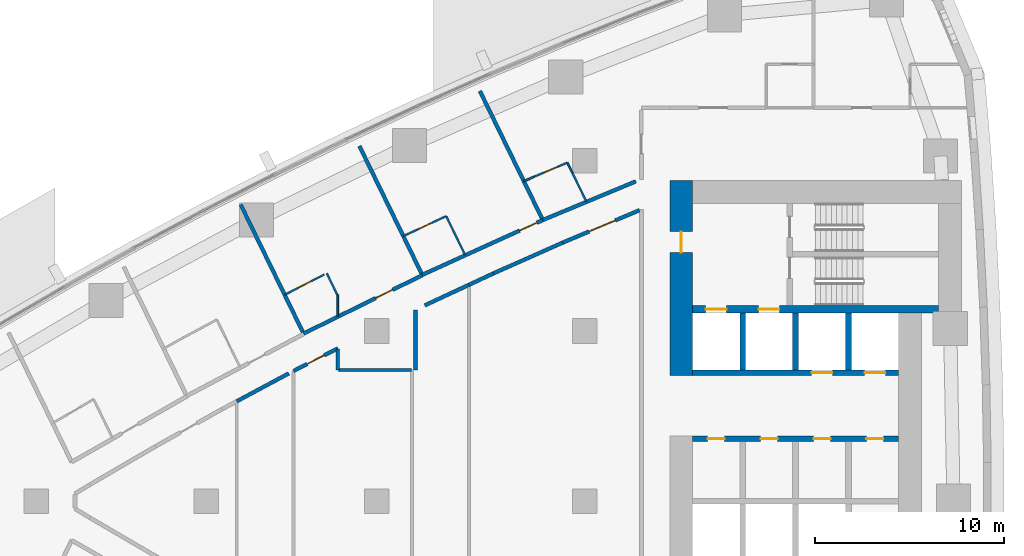
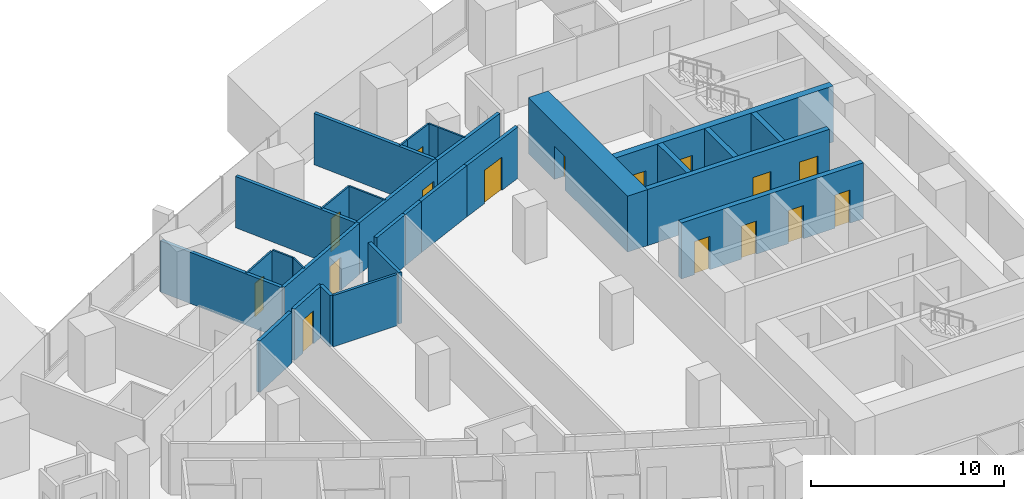
# One storey, part 12 of 19: 31 walls, 16 doors, 16 openings.
"""IFC4 building model written with IfcOpenShell, lengths in metres."""

from ifc_helpers import new_model, si_unit, direction, frame, frame_2d, origin, place, context, subcontext, project, spatial, rectangle, extrude, material, layer, layer_set, type_object, element, fill, save


model = new_model("IFC4")

# Units and contexts
model_context = context("Model", 3, precision=1e-05, world=origin(), true_north=direction((0.0, 1.0)))
body_context = subcontext(model_context, "Body", "Model", "MODEL_VIEW")
ifc_project = project(units=[si_unit("LENGTHUNIT", "METRE"), si_unit("AREAUNIT", "SQUARE_METRE"), si_unit("VOLUMEUNIT", "CUBIC_METRE"), si_unit("PLANEANGLEUNIT", "RADIAN"), si_unit("MASSUNIT", "GRAM", prefix="KILO")], contexts=[model_context])

# Site, building, storey
site_placement = place(None, origin())
site = spatial("IfcSite", under=ifc_project, at=site_placement, CompositionType="ELEMENT")
building_placement = place(site_placement, origin())
building = spatial("IfcBuilding", under=site, at=building_placement, Name="Ostrand Prow Hotel Tower", CompositionType="ELEMENT")
storey_placement = place(building_placement, frame((0.0, 0.0, 68.0)))
storey = spatial("IfcBuildingStorey", under=building, at=storey_placement, Name="L15", CompositionType="ELEMENT", Elevation=68.0)

# Wall, opening, door
ifc_material_1 = material(Name="Concrete C80/95", Category="concrete")
ifc_layer_1 = layer(ifc_material_1, 1.199951171875)
ifc_layer_set_1 = layer_set([ifc_layer_1], Name="Concrete C80/95")
wall_type_1 = type_object("IfcWallType", Name="Core wall 1200 C80/95", PredefinedType="SHEAR", material=ifc_layer_set_1)
wall_1_placement = place(storey_placement, frame((50.10009765625, 6.64990234375, 0.0), z_axis=(0.0, 0.0, 1.0), x_axis=(0.0, 1.0, 0.0)))
wall_1 = element("IfcWall", 1, at=wall_1_placement, inside=storey, type_object=wall_type_1, Name="Core wall CW-W-N", PredefinedType="SHEAR", context=body_context, shape_type="SweptSolid", body=[
    extrude(rectangle(XDim=10.300048828125, YDim=1.199951171875, at=frame_2d((5.14990234375, 0.0))), origin(), (0.0, 0.0, 1.0), 3.550048828125),
])
opening_1_placement = place(wall_1_placement, frame((6.5, 0.0, 0.0)))
opening_1 = element("IfcOpeningElement", 2, at=opening_1_placement, cuts=wall_1, Name="Opening FD1", PredefinedType="OPENING", context=body_context, shape_type="SweptSolid", body=[
    extrude(rectangle(XDim=1.10009765625, YDim=2.10009765625, at=frame_2d((0.550048828125, 1.050048828125))), frame((0.0, 0.60986328125, 0.0), z_axis=(0.0, -1.0, 0.0), x_axis=(1.0, 0.0, 0.0)), (0.0, 0.0, 1.0), 1.219970703125),
])
ifc_material_2 = material(Name="Steel fire door", Category="steel")
door_type_1 = type_object("IfcDoorType", Name="Fire door 1100 EI120", OperationType="SINGLE_SWING_RIGHT", PredefinedType="DOOR", material=ifc_material_2)
door_1_placement = place(opening_1_placement, origin())
door_1 = element("IfcDoor", 3, at=door_1_placement, inside=storey, type_object=door_type_1, Name="FIRE DOOR", OperationType="SINGLE_SWING_RIGHT", OverallHeight=2.10009765625, OverallWidth=1.10009765625, PredefinedType="DOOR", context=body_context, shape_type="SweptSolid", body=[
    extrude(rectangle(XDim=1.10009765625, YDim=2.10009765625, at=frame_2d((0.550048828125, 1.050048828125))), frame((0.0, 0.02490234375, 0.0), z_axis=(0.0, -1.0, 0.0), x_axis=(1.0, 0.0, 0.0)), (0.0, 0.0, 1.0), 0.050048828125),
])
fill(opening_1, door_1)

# Wall, openings, doors
ifc_material_3 = material(Name="Concrete C80/95", Category="concrete")
ifc_layer_2 = layer(ifc_material_3, 0.300048828125)
ifc_layer_set_2 = layer_set([ifc_layer_2], Name="Concrete C80/95")
wall_type_2 = type_object("IfcWallType", Name="Core wall 300 C80/95", PredefinedType="SHEAR", material=ifc_layer_set_2)
wall_2_placement = place(storey_placement, frame((50.699951171875, 3.300048828125, 0.0), z_axis=(0.0, 0.0, 1.0), x_axis=(1.0, 0.0, 0.0)))
wall_2 = element("IfcWall", 4, at=wall_2_placement, inside=storey, type_object=wall_type_2, Name="Core wall PW-L1-N", PredefinedType="SHEAR", context=body_context, shape_type="SweptSolid", body=[
    extrude(rectangle(XDim=10.900146484375, YDim=0.300048828125, at=frame_2d((5.4501953125, 0.0))), origin(), (0.0, 0.0, 1.0), 3.550048828125),
])
opening_2_placement = place(wall_2_placement, frame((0.800048828125, 0.0, 0.0)))
opening_2 = element("IfcOpeningElement", 5, at=opening_2_placement, cuts=wall_2, Name="Opening FD2", PredefinedType="OPENING", context=body_context, shape_type="SweptSolid", body=[
    extrude(rectangle(XDim=0.89990234375, YDim=2.10009765625, at=frame_2d((0.449951171875, 1.050048828125))), frame((0.0, 0.159912109375, 0.0), z_axis=(0.0, -1.0, 0.0), x_axis=(1.0, 0.0, 0.0)), (0.0, 0.0, 1.0), 0.320068359375),
])
opening_3_placement = place(wall_2_placement, frame((3.60009765625, 0.0, 0.0)))
opening_3 = element("IfcOpeningElement", 6, at=opening_3_placement, cuts=wall_2, Name="Opening FD2", PredefinedType="OPENING", context=body_context, shape_type="SweptSolid", body=[
    extrude(rectangle(XDim=0.89990234375, YDim=2.10009765625, at=frame_2d((0.449951171875, 1.050048828125))), frame((0.0, 0.159912109375, 0.0), z_axis=(0.0, -1.0, 0.0), x_axis=(1.0, 0.0, 0.0)), (0.0, 0.0, 1.0), 0.320068359375),
])
opening_4_placement = place(wall_2_placement, frame((6.39990234375, 0.0, 0.0)))
opening_4 = element("IfcOpeningElement", 7, at=opening_4_placement, cuts=wall_2, Name="Opening FD2", PredefinedType="OPENING", context=body_context, shape_type="SweptSolid", body=[
    extrude(rectangle(XDim=0.89990234375, YDim=2.10009765625, at=frame_2d((0.449951171875, 1.050048828125))), frame((0.0, 0.159912109375, 0.0), z_axis=(0.0, -1.0, 0.0), x_axis=(1.0, 0.0, 0.0)), (0.0, 0.0, 1.0), 0.320068359375),
])
opening_5_placement = place(wall_2_placement, frame((9.199951171875, 0.0, 0.0)))
opening_5 = element("IfcOpeningElement", 8, at=opening_5_placement, cuts=wall_2, Name="Opening FD2", PredefinedType="OPENING", context=body_context, shape_type="SweptSolid", body=[
    extrude(rectangle(XDim=0.89990234375, YDim=2.10009765625, at=frame_2d((0.449951171875, 1.050048828125))), frame((0.0, 0.159912109375, 0.0), z_axis=(0.0, -1.0, 0.0), x_axis=(1.0, 0.0, 0.0)), (0.0, 0.0, 1.0), 0.320068359375),
])
ifc_material_4 = material(Name="Steel fire door", Category="steel")
door_type_2 = type_object("IfcDoorType", Name="Fire door 900 EI120", OperationType="SINGLE_SWING_LEFT", PredefinedType="DOOR", material=ifc_material_4)
door_2_placement = place(opening_2_placement, origin())
door_2 = element("IfcDoor", 9, at=door_2_placement, inside=storey, type_object=door_type_2, Name="DOOR", OperationType="SINGLE_SWING_LEFT", OverallHeight=2.10009765625, OverallWidth=0.89990234375, PredefinedType="DOOR", context=body_context, shape_type="SweptSolid", body=[
    extrude(rectangle(XDim=0.89990234375, YDim=2.10009765625, at=frame_2d((0.449951171875, 1.050048828125))), frame((0.0, 0.02490234375, 0.0), z_axis=(0.0, -1.0, 0.0), x_axis=(1.0, 0.0, 0.0)), (0.0, 0.0, 1.0), 0.050048828125),
])
fill(opening_2, door_2)
door_3_placement = place(opening_3_placement, origin())
door_3 = element("IfcDoor", 10, at=door_3_placement, inside=storey, type_object=door_type_2, Name="DOOR", OperationType="SINGLE_SWING_LEFT", OverallHeight=2.10009765625, OverallWidth=0.89990234375, PredefinedType="DOOR", context=body_context, shape_type="SweptSolid", body=[
    extrude(rectangle(XDim=0.89990234375, YDim=2.10009765625, at=frame_2d((0.449951171875, 1.050048828125))), frame((0.0, 0.02490234375, 0.0), z_axis=(0.0, -1.0, 0.0), x_axis=(1.0, 0.0, 0.0)), (0.0, 0.0, 1.0), 0.050048828125),
])
fill(opening_3, door_3)
door_4_placement = place(opening_4_placement, origin())
door_4 = element("IfcDoor", 11, at=door_4_placement, inside=storey, type_object=door_type_2, Name="DOOR", OperationType="SINGLE_SWING_LEFT", OverallHeight=2.10009765625, OverallWidth=0.89990234375, PredefinedType="DOOR", context=body_context, shape_type="SweptSolid", body=[
    extrude(rectangle(XDim=0.89990234375, YDim=2.10009765625, at=frame_2d((0.449951171875, 1.050048828125))), frame((0.0, 0.02490234375, 0.0), z_axis=(0.0, -1.0, 0.0), x_axis=(1.0, 0.0, 0.0)), (0.0, 0.0, 1.0), 0.050048828125),
])
fill(opening_4, door_4)
door_5_placement = place(opening_5_placement, origin())
door_5 = element("IfcDoor", 12, at=door_5_placement, inside=storey, type_object=door_type_2, Name="DOOR", OperationType="SINGLE_SWING_LEFT", OverallHeight=2.10009765625, OverallWidth=0.89990234375, PredefinedType="DOOR", context=body_context, shape_type="SweptSolid", body=[
    extrude(rectangle(XDim=0.89990234375, YDim=2.10009765625, at=frame_2d((0.449951171875, 1.050048828125))), frame((0.0, 0.02490234375, 0.0), z_axis=(0.0, -1.0, 0.0), x_axis=(1.0, 0.0, 0.0)), (0.0, 0.0, 1.0), 0.050048828125),
])
fill(opening_5, door_5)

wall_3_placement = place(storey_placement, frame((50.699951171875, 6.800048828125, 0.0), z_axis=(0.0, 0.0, 1.0), x_axis=(1.0, 0.0, 0.0)))
wall_3 = element("IfcWall", 13, at=wall_3_placement, inside=storey, type_object=wall_type_2, Name="Core wall PW-L2-N", PredefinedType="SHEAR", context=body_context, shape_type="SweptSolid", body=[
    extrude(rectangle(XDim=10.900146484375, YDim=0.300048828125, at=frame_2d((5.4501953125, 0.0))), origin(), (0.0, 0.0, 1.0), 3.550048828125),
])
opening_6_placement = place(wall_3_placement, frame((6.300048828125, 0.0, 0.0)))
opening_6 = element("IfcOpeningElement", 14, at=opening_6_placement, cuts=wall_3, Name="Opening LD", PredefinedType="OPENING", context=body_context, shape_type="SweptSolid", body=[
    extrude(rectangle(XDim=1.10009765625, YDim=2.10009765625, at=frame_2d((0.550048828125, 1.050048828125))), frame((0.0, 0.159912109375, 0.0), z_axis=(0.0, -1.0, 0.0), x_axis=(1.0, 0.0, 0.0)), (0.0, 0.0, 1.0), 0.320068359375),
])
opening_7_placement = place(wall_3_placement, frame((9.10009765625, 0.0, 0.0)))
opening_7 = element("IfcOpeningElement", 15, at=opening_7_placement, cuts=wall_3, Name="Opening LD", PredefinedType="OPENING", context=body_context, shape_type="SweptSolid", body=[
    extrude(rectangle(XDim=1.10009765625, YDim=2.10009765625, at=frame_2d((0.550048828125, 1.050048828125))), frame((0.0, 0.159912109375, 0.0), z_axis=(0.0, -1.0, 0.0), x_axis=(1.0, 0.0, 0.0)), (0.0, 0.0, 1.0), 0.320068359375),
])
ifc_material_5 = material(Name="Stainless steel door", Category="steel")
door_type_3 = type_object("IfcDoorType", Name="Lift landing door 1100", OperationType="DOUBLE_DOOR_SLIDING", PredefinedType="DOOR", material=ifc_material_5)
door_6_placement = place(opening_6_placement, origin())
door_6 = element("IfcDoor", 16, at=door_6_placement, inside=storey, type_object=door_type_3, Name="LIFT LANDING DOOR", OperationType="DOUBLE_DOOR_SLIDING", OverallHeight=2.10009765625, OverallWidth=1.10009765625, PredefinedType="DOOR", context=body_context, shape_type="SweptSolid", body=[
    extrude(rectangle(XDim=1.10009765625, YDim=2.10009765625, at=frame_2d((0.550048828125, 1.050048828125))), frame((0.0, 0.02490234375, 0.0), z_axis=(0.0, -1.0, 0.0), x_axis=(1.0, 0.0, 0.0)), (0.0, 0.0, 1.0), 0.050048828125),
])
fill(opening_6, door_6)
door_7_placement = place(opening_7_placement, origin())
door_7 = element("IfcDoor", 17, at=door_7_placement, inside=storey, type_object=door_type_3, Name="LIFT LANDING DOOR", OperationType="DOUBLE_DOOR_SLIDING", OverallHeight=2.10009765625, OverallWidth=1.10009765625, PredefinedType="DOOR", context=body_context, shape_type="SweptSolid", body=[
    extrude(rectangle(XDim=1.10009765625, YDim=2.10009765625, at=frame_2d((0.550048828125, 1.050048828125))), frame((0.0, 0.02490234375, 0.0), z_axis=(0.0, -1.0, 0.0), x_axis=(1.0, 0.0, 0.0)), (0.0, 0.0, 1.0), 0.050048828125),
])
fill(opening_7, door_7)

# Walls
for number, where, z_axis, x_axis, name in (
    (18, (53.35009765625, 6.949951171875, 0.0), (0.0, 0.0, 1.0), (0.0, 1.0, 0.0), "Core wall PW-R1-NA"),
    (19, (56.14990234375, 6.949951171875, 0.0), (0.0, 0.0, 1.0), (0.0, 1.0, 0.0), "Core wall PW-R2-NA"),
    (20, (58.949951171875, 6.949951171875, 0.0), (0.0, 0.0, 1.0), (0.0, 1.0, 0.0), "Core wall PW-R3-NA"),
):
    element("IfcWall", number, at=place(storey_placement, frame(where, z_axis=z_axis, x_axis=x_axis)), inside=storey, type_object=wall_type_2, Name=name, PredefinedType="SHEAR", context=body_context, shape_type="SweptSolid", body=[
        extrude(rectangle(XDim=3.0, YDim=0.300048828125, at=frame_2d((1.5, 0.0))), origin(), (0.0, 0.0, 1.0), 3.550048828125),
    ])

# Wall, openings, doors
ifc_material_6 = material(Name="Concrete C80/95", Category="concrete")
ifc_layer_3 = layer(ifc_material_6, 0.39990234375)
ifc_layer_set_3 = layer_set([ifc_layer_3], Name="Concrete C80/95")
wall_type_3 = type_object("IfcWallType", Name="Core wall 400 C80/95", PredefinedType="SHEAR", material=ifc_layer_set_3)
wall_4_placement = place(storey_placement, frame((50.699951171875, 10.14990234375, 0.0), z_axis=(0.0, 0.0, 1.0), x_axis=(1.0, 0.0, 0.0)))
wall_4 = element("IfcWall", 21, at=wall_4_placement, inside=storey, type_object=wall_type_3, Name="Core wall PW-BN", PredefinedType="SHEAR", context=body_context, shape_type="SweptSolid", body=[
    extrude(rectangle(XDim=13.02001953125, YDim=0.39990234375, at=frame_2d((6.510009765625, 0.0))), origin(), (0.0, 0.0, 1.0), 3.550048828125),
])
opening_8_placement = place(wall_4_placement, frame((0.699951171875, 0.0, 0.0)))
opening_8 = element("IfcOpeningElement", 22, at=opening_8_placement, cuts=wall_4, Name="Opening LD", PredefinedType="OPENING", context=body_context, shape_type="SweptSolid", body=[
    extrude(rectangle(XDim=1.10009765625, YDim=2.10009765625, at=frame_2d((0.550048828125, 1.050048828125))), frame((0.0, 0.2099609375, 0.0), z_axis=(0.0, -1.0, 0.0), x_axis=(1.0, 0.0, 0.0)), (0.0, 0.0, 1.0), 0.419921875),
])
opening_9_placement = place(wall_4_placement, frame((3.5, 0.0, 0.0)))
opening_9 = element("IfcOpeningElement", 23, at=opening_9_placement, cuts=wall_4, Name="Opening LD", PredefinedType="OPENING", context=body_context, shape_type="SweptSolid", body=[
    extrude(rectangle(XDim=1.10009765625, YDim=2.10009765625, at=frame_2d((0.550048828125, 1.050048828125))), frame((0.0, 0.2099609375, 0.0), z_axis=(0.0, -1.0, 0.0), x_axis=(1.0, 0.0, 0.0)), (0.0, 0.0, 1.0), 0.419921875),
])
door_8_placement = place(opening_8_placement, origin())
door_8 = element("IfcDoor", 24, at=door_8_placement, inside=storey, type_object=door_type_3, Name="LIFT LANDING DOOR", OperationType="DOUBLE_DOOR_SLIDING", OverallHeight=2.10009765625, OverallWidth=1.10009765625, PredefinedType="DOOR", context=body_context, shape_type="SweptSolid", body=[
    extrude(rectangle(XDim=1.10009765625, YDim=2.10009765625, at=frame_2d((0.550048828125, 1.050048828125))), frame((0.0, 0.02490234375, 0.0), z_axis=(0.0, -1.0, 0.0), x_axis=(1.0, 0.0, 0.0)), (0.0, 0.0, 1.0), 0.050048828125),
])
fill(opening_8, door_8)
door_9_placement = place(opening_9_placement, origin())
door_9 = element("IfcDoor", 25, at=door_9_placement, inside=storey, type_object=door_type_3, Name="LIFT LANDING DOOR", OperationType="DOUBLE_DOOR_SLIDING", OverallHeight=2.10009765625, OverallWidth=1.10009765625, PredefinedType="DOOR", context=body_context, shape_type="SweptSolid", body=[
    extrude(rectangle(XDim=1.10009765625, YDim=2.10009765625, at=frame_2d((0.550048828125, 1.050048828125))), frame((0.0, 0.02490234375, 0.0), z_axis=(0.0, -1.0, 0.0), x_axis=(1.0, 0.0, 0.0)), (0.0, 0.0, 1.0), 0.050048828125),
])
fill(opening_9, door_9)

# Wall, opening, door
ifc_material_7 = material(Name="Plasterboard partition")
ifc_layer_4 = layer(ifc_material_7, 0.10009765625)
ifc_layer_set_4 = layer_set([ifc_layer_4], Name="Plasterboard partition")
wall_type_4 = type_object("IfcWallType", Name="Partition 100 bathroom wall", PredefinedType="PARTITIONING", material=ifc_layer_set_4)
wall_5_placement = place(storey_placement, frame((29.13623046875, 10.91357421875, 0.0), z_axis=(0.0, 0.0, 1.0), x_axis=(0.890219804082, 0.45553122881, 0.0)))
wall_5 = element("IfcWall", 26, at=wall_5_placement, inside=storey, type_object=wall_type_4, Name="BATHROOM WALL", PredefinedType="PARTITIONING", context=body_context, shape_type="SweptSolid", body=[
    extrude(rectangle(XDim=2.3544921875, YDim=0.10009765625, at=frame_2d((1.17724609375, 0.0))), origin(), (0.0, 0.0, 1.0), 3.25),
])
opening_10_placement = place(wall_5_placement, frame((0.800048828125, 0.0, 0.0)))
opening_10 = element("IfcOpeningElement", 27, at=opening_10_placement, cuts=wall_5, Name="Opening D2", PredefinedType="OPENING", context=body_context, shape_type="SweptSolid", body=[
    extrude(rectangle(XDim=0.800048828125, YDim=2.10009765625, at=frame_2d((0.39990234375, 1.050048828125))), frame((0.0, 0.06005859375, 0.0), z_axis=(0.0, -1.0, 0.0), x_axis=(1.0, 0.0, 0.0)), (0.0, 0.0, 1.0), 0.1201171875),
])
ifc_material_8 = material(Name="Timber door leaf", Category="wood")
door_type_4 = type_object("IfcDoorType", Name="Bathroom door 800", OperationType="SINGLE_SWING_LEFT", PredefinedType="DOOR", material=ifc_material_8)
door_10_placement = place(opening_10_placement, origin())
door_10 = element("IfcDoor", 28, at=door_10_placement, inside=storey, type_object=door_type_4, Name="DOOR", OperationType="SINGLE_SWING_LEFT", OverallHeight=2.10009765625, OverallWidth=0.800048828125, PredefinedType="DOOR", context=body_context, shape_type="SweptSolid", body=[
    extrude(rectangle(XDim=0.800048828125, YDim=2.10009765625, at=frame_2d((0.39990234375, 1.050048828125))), frame((0.0, 0.02490234375, 0.0), z_axis=(0.0, -1.0, 0.0), x_axis=(1.0, 0.0, 0.0)), (0.0, 0.0, 1.0), 0.050048828125),
])
fill(opening_10, door_10)

# Wall
wall_6_placement = place(storey_placement, frame((31.36328125, 12.05029296875, 0.0), z_axis=(0.0, 0.0, 1.0), x_axis=(0.438356099343, -0.898801385273, 0.0)))
element("IfcWall", 29, at=wall_6_placement, inside=storey, type_object=wall_type_4, Name="BATHROOM WALL", PredefinedType="PARTITIONING", context=body_context, shape_type="SweptSolid", body=[
    extrude(rectangle(XDim=1.281982421875, YDim=0.10009765625, at=frame_2d((0.64111328125, 0.0))), origin(), (0.0, 0.0, 1.0), 3.25),
])

# Wall, opening, door
wall_7_placement = place(storey_placement, frame((35.410888671875, 14.01708984375, 0.0), z_axis=(0.0, 0.0, 1.0), x_axis=(0.906317797926, 0.422596792655, 0.0)))
wall_7 = element("IfcWall", 30, at=wall_7_placement, inside=storey, type_object=wall_type_4, Name="BATHROOM WALL", PredefinedType="PARTITIONING", context=body_context, shape_type="SweptSolid", body=[
    extrude(rectangle(XDim=2.500244140625, YDim=0.10009765625, at=frame_2d((1.25, 0.0))), origin(), (0.0, 0.0, 1.0), 3.25),
])
opening_11_placement = place(wall_7_placement, frame((0.85009765625, 0.0, 0.0)))
opening_11 = element("IfcOpeningElement", 31, at=opening_11_placement, cuts=wall_7, Name="Opening D2", PredefinedType="OPENING", context=body_context, shape_type="SweptSolid", body=[
    extrude(rectangle(XDim=0.800048828125, YDim=2.10009765625, at=frame_2d((0.39990234375, 1.050048828125))), frame((0.0, 0.06005859375, 0.0), z_axis=(0.0, -1.0, 0.0), x_axis=(1.0, 0.0, 0.0)), (0.0, 0.0, 1.0), 0.1201171875),
])
door_11_placement = place(opening_11_placement, origin())
door_11 = element("IfcDoor", 32, at=door_11_placement, inside=storey, type_object=door_type_4, Name="DOOR", OperationType="SINGLE_SWING_LEFT", OverallHeight=2.10009765625, OverallWidth=0.800048828125, PredefinedType="DOOR", context=body_context, shape_type="SweptSolid", body=[
    extrude(rectangle(XDim=0.800048828125, YDim=2.10009765625, at=frame_2d((0.39990234375, 1.050048828125))), frame((0.0, 0.02490234375, 0.0), z_axis=(0.0, -1.0, 0.0), x_axis=(1.0, 0.0, 0.0)), (0.0, 0.0, 1.0), 0.050048828125),
])
fill(opening_11, door_11)

# Walls
wall_8_placement = place(storey_placement, frame((37.677001953125, 15.073486328125, 0.0), z_axis=(0.0, 0.0, 1.0), x_axis=(0.43818492173, -0.89888485045, 0.0)))
element("IfcWall", 33, at=wall_8_placement, inside=storey, type_object=wall_type_4, Name="BATHROOM WALL", PredefinedType="PARTITIONING", context=body_context, shape_type="SweptSolid", body=[
    extrude(rectangle(XDim=2.277099609375, YDim=0.10009765625, at=frame_2d((1.138671875, 0.0))), origin(), (0.0, 0.0, 1.0), 3.25),
])
wall_9_placement = place(storey_placement, frame((41.7841796875, 16.917724609375, 0.0), z_axis=(0.0, 0.0, 1.0), x_axis=(0.913894320415, 0.405952178357, 0.0)))
element("IfcWall", 34, at=wall_9_placement, inside=storey, type_object=wall_type_4, Name="BATHROOM WALL", PredefinedType="PARTITIONING", context=body_context, shape_type="SweptSolid", body=[
    extrude(rectangle(XDim=0.60791015625, YDim=0.10009765625, at=frame_2d((0.303955078125, 0.0))), origin(), (0.0, 0.0, 1.0), 3.25),
])

# Wall, opening, door
wall_10_placement = place(storey_placement, frame((42.340087890625, 17.16455078125, 0.0), z_axis=(0.0, 0.0, 1.0), x_axis=(0.921263923232, 0.38893802045, 0.0)))
wall_10 = element("IfcWall", 35, at=wall_10_placement, inside=storey, type_object=wall_type_4, Name="BATHROOM WALL", PredefinedType="PARTITIONING", context=body_context, shape_type="SweptSolid", body=[
    extrude(rectangle(XDim=1.89501953125, YDim=0.10009765625, at=frame_2d((0.947509765625, 0.0))), origin(), (0.0, 0.0, 1.0), 3.25),
])
opening_12_placement = place(wall_10_placement, frame((0.550048828125, 0.0, 0.0)))
opening_12 = element("IfcOpeningElement", 36, at=opening_12_placement, cuts=wall_10, Name="Opening D2", PredefinedType="OPENING", context=body_context, shape_type="SweptSolid", body=[
    extrude(rectangle(XDim=0.800048828125, YDim=2.10009765625, at=frame_2d((0.39990234375, 1.050048828125))), frame((0.0, 0.06005859375, 0.0), z_axis=(0.0, -1.0, 0.0), x_axis=(1.0, 0.0, 0.0)), (0.0, 0.0, 1.0), 0.1201171875),
])
door_12_placement = place(opening_12_placement, origin())
door_12 = element("IfcDoor", 37, at=door_12_placement, inside=storey, type_object=door_type_4, Name="DOOR", OperationType="SINGLE_SWING_LEFT", OverallHeight=2.10009765625, OverallWidth=0.800048828125, PredefinedType="DOOR", context=body_context, shape_type="SweptSolid", body=[
    extrude(rectangle(XDim=0.800048828125, YDim=2.10009765625, at=frame_2d((0.39990234375, 1.050048828125))), frame((0.0, 0.02490234375, 0.0), z_axis=(0.0, -1.0, 0.0), x_axis=(1.0, 0.0, 0.0)), (0.0, 0.0, 1.0), 0.050048828125),
])
fill(opening_12, door_12)

# Walls
wall_11_placement = place(storey_placement, frame((44.0859375, 17.901611328125, 0.0), z_axis=(0.0, 0.0, 1.0), x_axis=(0.438279975423, -0.898838507822, 0.0)))
element("IfcWall", 38, at=wall_11_placement, inside=storey, type_object=wall_type_4, Name="BATHROOM WALL", PredefinedType="PARTITIONING", context=body_context, shape_type="SweptSolid", body=[
    extrude(rectangle(XDim=0.602783203125, YDim=0.10009765625, at=frame_2d((0.30126953125, 0.0))), origin(), (0.0, 0.0, 1.0), 3.25),
])
wall_12_placement = place(storey_placement, frame((44.354736328125, 17.35009765625, 0.0), z_axis=(0.0, 0.0, 1.0), x_axis=(0.438227394636, -0.89886414468, 0.0)))
element("IfcWall", 39, at=wall_12_placement, inside=storey, type_object=wall_type_4, Name="BATHROOM WALL", PredefinedType="PARTITIONING", context=body_context, shape_type="SweptSolid", body=[
    extrude(rectangle(XDim=1.6669921875, YDim=0.10009765625, at=frame_2d((0.83349609375, 0.0))), origin(), (0.0, 0.0, 1.0), 3.25),
])
wall_13_placement = place(storey_placement, frame((31.945068359375, 10.92578125, 0.0), z_axis=(0.0, 0.0, 1.0), x_axis=(0.0, -1.0, 0.0)))
element("IfcWall", 40, at=wall_13_placement, inside=storey, type_object=wall_type_4, Name="BATHROOM WALL", PredefinedType="PARTITIONING", context=body_context, shape_type="SweptSolid", body=[
    extrude(rectangle(XDim=1.15283203125, YDim=0.10009765625, at=frame_2d((0.576416015625, 0.0))), origin(), (0.0, 0.0, 1.0), 3.25),
])
ifc_material_9 = material(Name="Plasterboard partition")
ifc_layer_5 = layer(ifc_material_9, 0.14990234375)
ifc_layer_set_5 = layer_set([ifc_layer_5], Name="Plasterboard partition")
wall_type_5 = type_object("IfcWallType", Name="Partition 150 room partition", PredefinedType="PARTITIONING", material=ifc_layer_set_5)
wall_14_placement = place(storey_placement, frame((31.988525390625, 6.9453125, 0.0), z_axis=(0.0, 0.0, 1.0), x_axis=(0.999999997987, -6.3451777e-05, 0.0)))
element("IfcWall", 41, at=wall_14_placement, inside=storey, type_object=wall_type_5, Name="ROOM PARTITION", PredefinedType="PARTITIONING", context=body_context, shape_type="SweptSolid", body=[
    extrude(rectangle(XDim=3.84765625, YDim=0.14990234375, at=frame_2d((1.923828125, 0.0))), origin(), (0.0, 0.0, 1.0), 3.25),
])

# Wall, opening, door
ifc_material_10 = material(Name="Plasterboard partition")
ifc_layer_6 = layer(ifc_material_10, 0.199951171875)
ifc_layer_set_6 = layer_set([ifc_layer_6], Name="Plasterboard partition")
wall_type_6 = type_object("IfcWallType", Name="Partition 200 corridor wall", PredefinedType="PARTITIONING", material=ifc_layer_set_6)
wall_15_placement = place(storey_placement, frame((30.135498046875, 8.86376953125, 0.0), z_axis=(0.0, 0.0, 1.0), x_axis=(0.897599118183, 0.44081268475, 0.0)))
wall_15 = element("IfcWall", 42, at=wall_15_placement, inside=storey, type_object=wall_type_6, Name="CORRIDOR WALL", PredefinedType="PARTITIONING", context=body_context, shape_type="SweptSolid", body=[
    extrude(rectangle(XDim=7.0, YDim=0.199951171875, at=frame_2d((3.5, 0.0))), origin(), (0.0, 0.0, 1.0), 3.25),
])
opening_13_placement = place(wall_15_placement, frame((4.25, 0.0, 0.0)))
opening_13 = element("IfcOpeningElement", 43, at=opening_13_placement, cuts=wall_15, Name="Opening D1", PredefinedType="OPENING", context=body_context, shape_type="SweptSolid", body=[
    extrude(rectangle(XDim=1.0, YDim=2.10009765625, at=frame_2d((0.5, 1.050048828125))), frame((0.0, 0.10986328125, 0.0), z_axis=(0.0, -1.0, 0.0), x_axis=(1.0, 0.0, 0.0)), (0.0, 0.0, 1.0), 0.219970703125),
])
ifc_material_11 = material(Name="Timber door leaf", Category="wood")
door_type_5 = type_object("IfcDoorType", Name="Guest room door 1000", OperationType="SINGLE_SWING_LEFT", PredefinedType="DOOR", material=ifc_material_11)
door_13_placement = place(opening_13_placement, origin())
door_13 = element("IfcDoor", 44, at=door_13_placement, inside=storey, type_object=door_type_5, Name="DOOR", OperationType="SINGLE_SWING_LEFT", OverallHeight=2.10009765625, OverallWidth=1.0, PredefinedType="DOOR", context=body_context, shape_type="SweptSolid", body=[
    extrude(rectangle(XDim=1.0, YDim=2.10009765625, at=frame_2d((0.5, 1.050048828125))), frame((0.0, 0.02490234375, 0.0), z_axis=(0.0, -1.0, 0.0), x_axis=(1.0, 0.0, 0.0)), (0.0, 0.0, 1.0), 0.050048828125),
])
fill(opening_13, door_13)

wall_16_placement = place(storey_placement, frame((42.783935546875, 14.8671875, 0.0), z_axis=(0.0, 0.0, 1.0), x_axis=(-0.910238677692, -0.414083988622, 0.0)))
wall_16 = element("IfcWall", 45, at=wall_16_placement, inside=storey, type_object=wall_type_6, Name="CORRIDOR WALL", PredefinedType="PARTITIONING", context=body_context, shape_type="SweptSolid", body=[
    extrude(rectangle(XDim=7.002685546875, YDim=0.199951171875, at=frame_2d((3.50146484375, 0.0))), origin(), (0.0, 0.0, 1.0), 3.25),
])
opening_14_placement = place(wall_16_placement, frame((0.35009765625, 0.0, 0.0)))
opening_14 = element("IfcOpeningElement", 46, at=opening_14_placement, cuts=wall_16, Name="Opening D1", PredefinedType="OPENING", context=body_context, shape_type="SweptSolid", body=[
    extrude(rectangle(XDim=1.0, YDim=2.10009765625, at=frame_2d((0.5, 1.050048828125))), frame((0.0, 0.10986328125, 0.0), z_axis=(0.0, -1.0, 0.0), x_axis=(1.0, 0.0, 0.0)), (0.0, 0.0, 1.0), 0.219970703125),
])
door_14_placement = place(opening_14_placement, origin())
door_14 = element("IfcDoor", 47, at=door_14_placement, inside=storey, type_object=door_type_5, Name="DOOR", OperationType="SINGLE_SWING_LEFT", OverallHeight=2.10009765625, OverallWidth=1.0, PredefinedType="DOOR", context=body_context, shape_type="SweptSolid", body=[
    extrude(rectangle(XDim=1.0, YDim=2.10009765625, at=frame_2d((0.5, 1.050048828125))), frame((0.0, 0.02490234375, 0.0), z_axis=(0.0, -1.0, 0.0), x_axis=(1.0, 0.0, 0.0)), (0.0, 0.0, 1.0), 0.050048828125),
])
fill(opening_14, door_14)

# Wall
wall_17_placement = place(storey_placement, frame((26.603515625, 5.283935546875, 0.0), z_axis=(0.0, 0.0, 1.0), x_axis=(0.881637943627, 0.471926409895, 0.0)))
element("IfcWall", 48, at=wall_17_placement, inside=storey, type_object=wall_type_6, Name="CORRIDOR WALL", PredefinedType="PARTITIONING", context=body_context, shape_type="SweptSolid", body=[
    extrude(rectangle(XDim=3.12353515625, YDim=0.199951171875, at=frame_2d((1.561767578125, 0.0))), origin(), (0.0, 0.0, 1.0), 3.25),
])

# Wall, opening, door
wall_18_placement = place(storey_placement, frame((29.603515625, 6.884033203125, 0.0), z_axis=(0.0, 0.0, 1.0), x_axis=(0.890220210981, 0.455530433628, 0.0)))
wall_18 = element("IfcWall", 49, at=wall_18_placement, inside=storey, type_object=wall_type_6, Name="CORRIDOR WALL", PredefinedType="PARTITIONING", context=body_context, shape_type="SweptSolid", body=[
    extrude(rectangle(XDim=2.6357421875, YDim=0.199951171875, at=frame_2d((1.31787109375, 0.0))), origin(), (0.0, 0.0, 1.0), 3.25),
])
opening_15_placement = place(wall_18_placement, frame((0.81787109375, 0.0, 0.0)))
opening_15 = element("IfcOpeningElement", 50, at=opening_15_placement, cuts=wall_18, Name="Opening D1", PredefinedType="OPENING", context=body_context, shape_type="SweptSolid", body=[
    extrude(rectangle(XDim=1.0, YDim=2.10009765625, at=frame_2d((0.5, 1.050048828125))), frame((0.0, 0.10986328125, 0.0), z_axis=(0.0, -1.0, 0.0), x_axis=(1.0, 0.0, 0.0)), (0.0, 0.0, 1.0), 0.219970703125),
])
door_15_placement = place(opening_15_placement, origin())
door_15 = element("IfcDoor", 51, at=door_15_placement, inside=storey, type_object=door_type_5, Name="DOOR", OperationType="SINGLE_SWING_LEFT", OverallHeight=2.10009765625, OverallWidth=1.0, PredefinedType="DOOR", context=body_context, shape_type="SweptSolid", body=[
    extrude(rectangle(XDim=1.0, YDim=2.10009765625, at=frame_2d((0.5, 1.050048828125))), frame((0.0, 0.02490234375, 0.0), z_axis=(0.0, -1.0, 0.0), x_axis=(1.0, 0.0, 0.0)), (0.0, 0.0, 1.0), 0.050048828125),
])
fill(opening_15, door_15)

# Wall
wall_19_placement = place(storey_placement, frame((36.5400390625, 10.35107421875, 0.0), z_axis=(0.0, 0.0, 1.0), x_axis=(0.906347616376, 0.422532836937, 0.0)))
element("IfcWall", 52, at=wall_19_placement, inside=storey, type_object=wall_type_6, Name="CORRIDOR WALL", PredefinedType="PARTITIONING", context=body_context, shape_type="SweptSolid", body=[
    extrude(rectangle(XDim=2.57763671875, YDim=0.199951171875, at=frame_2d((1.288818359375, 0.0))), origin(), (0.0, 0.0, 1.0), 3.25),
])

# Wall, opening, door
wall_20_placement = place(storey_placement, frame((43.85009765625, 13.67724609375, 0.0), z_axis=(0.0, 0.0, 1.0), x_axis=(0.921265924084, 0.388933281068, 0.0)))
wall_20 = element("IfcWall", 53, at=wall_20_placement, inside=storey, type_object=wall_type_6, Name="CORRIDOR WALL", PredefinedType="PARTITIONING", context=body_context, shape_type="SweptSolid", body=[
    extrude(rectangle(XDim=4.39599609375, YDim=0.199951171875, at=frame_2d((2.197998046875, 0.0))), origin(), (0.0, 0.0, 1.0), 3.25),
])
opening_16_placement = place(wall_20_placement, frame((1.5078125, 0.0, 0.0)))
opening_16 = element("IfcOpeningElement", 54, at=opening_16_placement, cuts=wall_20, Name="Opening D15", PredefinedType="OPENING", context=body_context, shape_type="SweptSolid", body=[
    extrude(rectangle(XDim=1.5, YDim=2.10009765625, at=frame_2d((0.75, 1.050048828125))), frame((0.0, 0.10986328125, 0.0), z_axis=(0.0, -1.0, 0.0), x_axis=(1.0, 0.0, 0.0)), (0.0, 0.0, 1.0), 0.219970703125),
])
ifc_material_12 = material(Name="Timber door leaf", Category="wood")
door_type_6 = type_object("IfcDoorType", Name="Double door 1500", OperationType="DOUBLE_DOOR_SINGLE_SWING", PredefinedType="DOOR", material=ifc_material_12)
door_16_placement = place(opening_16_placement, origin())
door_16 = element("IfcDoor", 55, at=door_16_placement, inside=storey, type_object=door_type_6, Name="DOOR", OperationType="DOUBLE_DOOR_SINGLE_SWING", OverallHeight=2.10009765625, OverallWidth=1.5, PredefinedType="DOOR", context=body_context, shape_type="SweptSolid", body=[
    extrude(rectangle(XDim=1.5, YDim=2.10009765625, at=frame_2d((0.75, 1.050048828125))), frame((0.0, 0.02490234375, 0.0), z_axis=(0.0, -1.0, 0.0), x_axis=(1.0, 0.0, 0.0)), (0.0, 0.0, 1.0), 0.050048828125),
])
fill(opening_16, door_16)

# Walls
wall_21_placement = place(storey_placement, frame((40.1796875, 12.0478515625, 0.0), z_axis=(0.0, 0.0, 1.0), x_axis=(0.913986953061, 0.405743576209, 0.0)))
element("IfcWall", 56, at=wall_21_placement, inside=storey, type_object=wall_type_6, Name="CORRIDOR WALL", PredefinedType="PARTITIONING", context=body_context, shape_type="SweptSolid", body=[
    extrude(rectangle(XDim=4.015869140625, YDim=0.199951171875, at=frame_2d((2.0078125, 0.0))), origin(), (0.0, 0.0, 1.0), 3.25),
])
wall_22_placement = place(storey_placement, frame((38.876220703125, 11.440185546875, 0.0), z_axis=(0.0, 0.0, 1.0), x_axis=(0.906347874546, 0.422532283152, 0.0)))
element("IfcWall", 57, at=wall_22_placement, inside=storey, type_object=wall_type_6, Name="CORRIDOR WALL", PredefinedType="PARTITIONING", context=body_context, shape_type="SweptSolid", body=[
    extrude(rectangle(XDim=1.438232421875, YDim=0.199951171875, at=frame_2d((0.71923828125, 0.0))), origin(), (0.0, 0.0, 1.0), 3.25),
])
wall_23_placement = place(storey_placement, frame((47.703857421875, 16.911376953125, 0.0), z_axis=(0.0, 0.0, 1.0), x_axis=(-0.923461497361, -0.383691103484, 0.0)))
element("IfcWall", 58, at=wall_23_placement, inside=storey, type_object=wall_type_6, Name="CORRIDOR WALL", PredefinedType="PARTITIONING", context=body_context, shape_type="SweptSolid", body=[
    extrude(rectangle(XDim=5.32763671875, YDim=0.199951171875, at=frame_2d((2.663818359375, 0.0))), origin(), (0.0, 0.0, 1.0), 3.25),
])
wall_24_placement = place(storey_placement, frame((31.945068359375, 8.037353515625, 0.0), z_axis=(0.0, 0.0, 1.0), x_axis=(0.003129875123, -0.999995101929, 0.0)))
element("IfcWall", 59, at=wall_24_placement, inside=storey, type_object=wall_type_6, Name="CORRIDOR WALL", PredefinedType="PARTITIONING", context=body_context, shape_type="SweptSolid", body=[
    extrude(rectangle(XDim=1.092041015625, YDim=0.199951171875, at=frame_2d((0.5458984375, 0.0))), origin(), (0.0, 0.0, 1.0), 3.25),
])
wall_25_placement = place(storey_placement, frame((36.054931640625, 6.949951171875, 0.0), z_axis=(0.0, 0.0, 1.0), x_axis=(0.0, 1.0, 0.0)))
element("IfcWall", 60, at=wall_25_placement, inside=storey, type_object=wall_type_6, Name="CORRIDOR WALL", PredefinedType="PARTITIONING", context=body_context, shape_type="SweptSolid", body=[
    extrude(rectangle(XDim=3.158447265625, YDim=0.199951171875, at=frame_2d((1.5791015625, 0.0))), origin(), (0.0, 0.0, 1.0), 3.25),
])
ifc_material_13 = material(Name="Plasterboard partition")
ifc_layer_7 = layer(ifc_material_13, 0.199951171875)
ifc_layer_set_7 = layer_set([ifc_layer_7], Name="Plasterboard partition")
wall_type_7 = type_object("IfcWallType", Name="Partition 200 key partition", PredefinedType="PARTITIONING", material=ifc_layer_set_7)
wall_26_placement = place(storey_placement, frame((30.144287109375, 8.845703125, 0.0), z_axis=(0.0, 0.0, 1.0), x_axis=(-0.438185054829, 0.898884785567, 0.0)))
element("IfcWall", 61, at=wall_26_placement, inside=storey, type_object=wall_type_7, Name="KEY PARTITION", PredefinedType="PARTITIONING", context=body_context, shape_type="SweptSolid", body=[
    extrude(rectangle(XDim=7.601318359375, YDim=0.199951171875, at=frame_2d((3.80078125, 0.0))), origin(), (0.0, 0.0, 1.0), 3.25),
])
wall_27_placement = place(storey_placement, frame((36.418701171875, 11.949462890625, 0.0), z_axis=(0.0, 0.0, 1.0), x_axis=(-0.438197705697, 0.898878618459, 0.0)))
element("IfcWall", 62, at=wall_27_placement, inside=storey, type_object=wall_type_7, Name="KEY PARTITION", PredefinedType="PARTITIONING", context=body_context, shape_type="SweptSolid", body=[
    extrude(rectangle(XDim=7.60107421875, YDim=0.199951171875, at=frame_2d((3.800537109375, 0.0))), origin(), (0.0, 0.0, 1.0), 3.25),
])
wall_28_placement = place(storey_placement, frame((42.792724609375, 14.84912109375, 0.0), z_axis=(0.0, 0.0, 1.0), x_axis=(-0.438214892445, 0.898870239823, 0.0)))
element("IfcWall", 63, at=wall_28_placement, inside=storey, type_object=wall_type_7, Name="KEY PARTITION", PredefinedType="PARTITIONING", context=body_context, shape_type="SweptSolid", body=[
    extrude(rectangle(XDim=7.604736328125, YDim=0.199951171875, at=frame_2d((3.80224609375, 0.0))), origin(), (0.0, 0.0, 1.0), 3.25),
])

save(model, "model.ifc")
